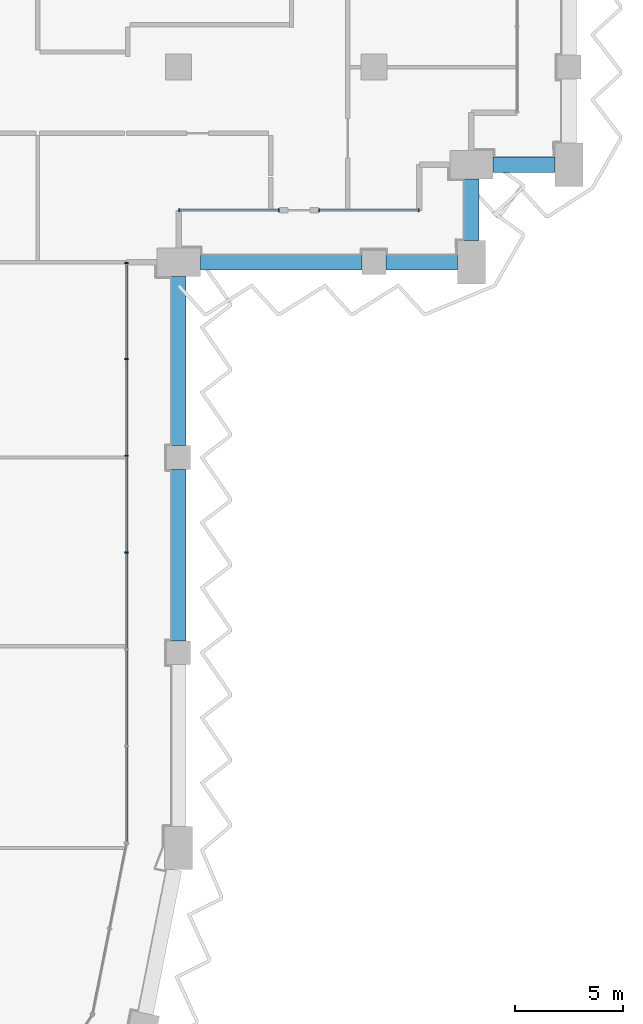
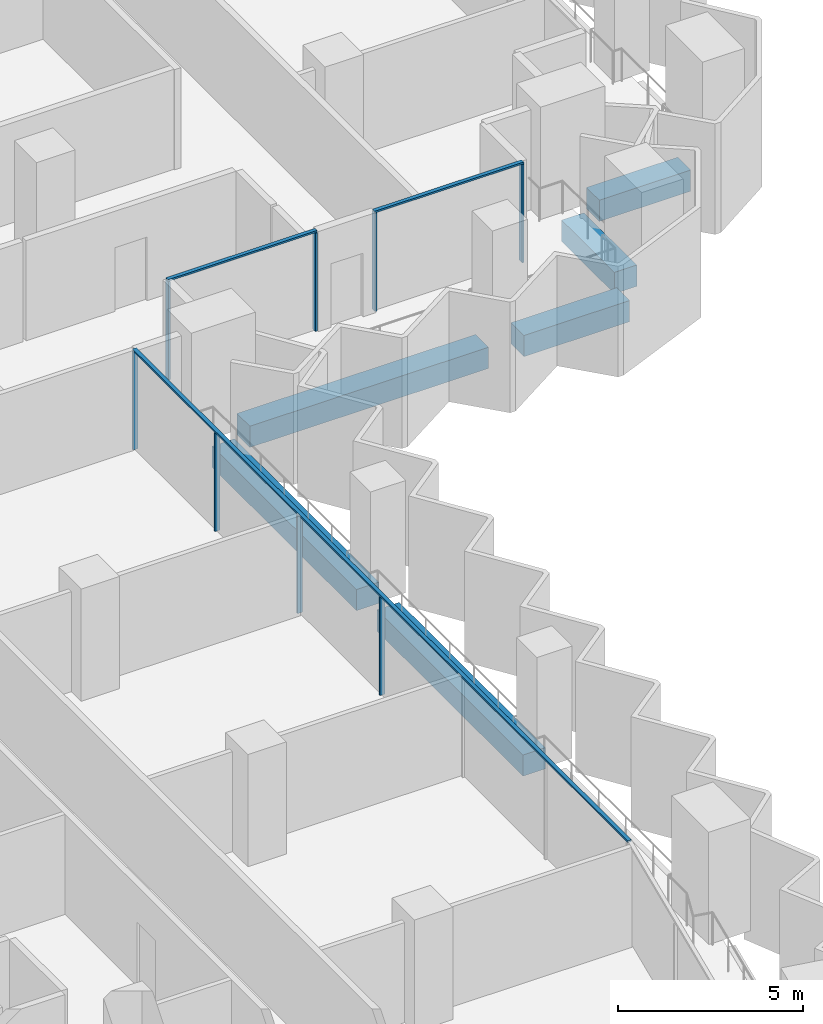
# One storey, part 4 of 23: 11 members, 6 beams, 3 elements without a shape of their own.
"""IFC4 building model written with IfcOpenShell, lengths in metres."""

from ifc_helpers import new_model, si_unit, direction, frame, origin, origin_2d, place, context, subcontext, project, spatial, rectangle, extrude, material, material_profile, profile_set, type_object, element, aggregate, save


model = new_model("IFC4")

# Units and contexts
model_context = context("Model", 3, precision=1e-05, world=origin(), true_north=direction((0.0, 1.0)))
body_context = subcontext(model_context, "Body", "Model", "MODEL_VIEW")
ifc_project = project(units=[si_unit("LENGTHUNIT", "METRE"), si_unit("AREAUNIT", "SQUARE_METRE"), si_unit("VOLUMEUNIT", "CUBIC_METRE"), si_unit("PLANEANGLEUNIT", "RADIAN"), si_unit("MASSUNIT", "GRAM", prefix="KILO")], contexts=[model_context])

# Site, building, storey
site_placement = place(None, origin())
site = spatial("IfcSite", under=ifc_project, at=site_placement, CompositionType="ELEMENT")
building_placement = place(site_placement, origin())
building = spatial("IfcBuilding", under=site, at=building_placement, Name="Hunhe Ridgeline Campus", CompositionType="ELEMENT")
storey_placement = place(building_placement, frame((0.0, 0.0, 144.89990234375)))
storey = spatial("IfcBuildingStorey", under=building, at=storey_placement, Name="L36", CompositionType="ELEMENT", Elevation=144.89990234375)

# Curtain wall, members
ifc_material_1 = material(Name="Aluminium 6063", Category="aluminium")
curtain_wall_type = type_object("IfcCurtainWallType", Name="Curtain wall CW-1", PredefinedType="NOTDEFINED", material=ifc_material_1)
curtain_wall_1_placement = place(storey_placement, origin())
curtain_wall_1 = element("IfcCurtainWall", 1, at=curtain_wall_1_placement, inside=storey, type_object=curtain_wall_type, Name="Curtain wall 11", PredefinedType="NOTDEFINED")
ifc_material_profile_1 = material_profile(ifc_material_1, rectangle(XDim=0.159912109375, YDim=0.06005859375, at=origin_2d()))
ifc_profile_set_1 = profile_set([ifc_material_profile_1], Name="Aluminium 6063")
member_type_1 = type_object("IfcMemberType", Name="CW-1 aluminium mullion", PredefinedType="MULLION", material=ifc_profile_set_1)
member_1_placement = place(storey_placement, frame((42.59912109375, 40.618408203125, 0.0), z_axis=(0.0, 0.0, 1.0), x_axis=(-0.99999999999, 4.408911e-06, 0.0)))
member_1 = element("IfcMember", 2, at=member_1_placement, type_object=member_type_1, Name="CW-1 mullion 4", PredefinedType="MULLION", context=body_context, shape_type="SweptSolid", body=[
    extrude(rectangle(XDim=0.159912109375, YDim=0.06005859375, at=origin_2d()), origin(), (0.0, 0.0, 1.0), 3.239990234375),
])
member_2_placement = place(storey_placement, frame((42.59912109375, 45.0791015625, 0.0), z_axis=(0.0, 0.0, 1.0), x_axis=(-0.99999999999, 4.408911e-06, 0.0)))
member_2 = element("IfcMember", 3, at=member_2_placement, type_object=member_type_1, Name="CW-1 mullion 5", PredefinedType="MULLION", context=body_context, shape_type="SweptSolid", body=[
    extrude(rectangle(XDim=0.159912109375, YDim=0.06005859375, at=origin_2d()), origin(), (0.0, 0.0, 1.0), 3.239990234375),
])
member_3_placement = place(storey_placement, frame((42.59912109375, 49.539794921875, 0.0), z_axis=(0.0, 0.0, 1.0), x_axis=(-0.99999999999, 4.408911e-06, 0.0)))
member_3 = element("IfcMember", 4, at=member_3_placement, type_object=member_type_1, Name="CW-1 mullion 6", PredefinedType="MULLION", context=body_context, shape_type="SweptSolid", body=[
    extrude(rectangle(XDim=0.159912109375, YDim=0.06005859375, at=origin_2d()), origin(), (0.0, 0.0, 1.0), 3.239990234375),
])
member_4_placement = place(storey_placement, frame((42.59912109375, 53.970458984375, 0.0), z_axis=(0.0, 0.0, 1.0), x_axis=(-0.99999999999, 4.408911e-06, 0.0)))
member_4 = element("IfcMember", 5, at=member_4_placement, type_object=member_type_1, Name="CW-1 mullion 7", PredefinedType="MULLION", context=body_context, shape_type="SweptSolid", body=[
    extrude(rectangle(XDim=0.159912109375, YDim=0.06005859375, at=origin_2d()), origin(), (0.0, 0.0, 1.0), 3.239990234375),
])

curtain_wall_2_placement = place(storey_placement, origin())
curtain_wall_2 = element("IfcCurtainWall", 6, at=curtain_wall_2_placement, inside=storey, type_object=curtain_wall_type, Name="Curtain wall 12", PredefinedType="NOTDEFINED")
member_5_placement = place(storey_placement, frame((45.02978515625, 56.40087890625, 0.0), z_axis=(0.0, 0.0, 1.0), x_axis=(-1.72058e-06, 0.999999999999, 0.0)))
member_5 = element("IfcMember", 7, at=member_5_placement, type_object=member_type_1, Name="CW-1 mullion 1", PredefinedType="MULLION", context=body_context, shape_type="SweptSolid", body=[
    extrude(rectangle(XDim=0.159912109375, YDim=0.06005859375, at=origin_2d()), origin(), (0.0, 0.0, 1.0), 3.239990234375),
])
member_6_placement = place(storey_placement, frame((49.619384765625, 56.40087890625, 0.0), z_axis=(0.0, 0.0, 1.0), x_axis=(-1.72058e-06, 0.999999999999, 0.0)))
member_6 = element("IfcMember", 8, at=member_6_placement, type_object=member_type_1, Name="CW-1 mullion 2", PredefinedType="MULLION", context=body_context, shape_type="SweptSolid", body=[
    extrude(rectangle(XDim=0.159912109375, YDim=0.06005859375, at=origin_2d()), origin(), (0.0, 0.0, 1.0), 3.239990234375),
])

curtain_wall_3_placement = place(storey_placement, origin())
curtain_wall_3 = element("IfcCurtainWall", 9, at=curtain_wall_3_placement, inside=storey, type_object=curtain_wall_type, Name="Curtain wall 13", PredefinedType="NOTDEFINED")
member_7_placement = place(storey_placement, frame((51.4794921875, 56.40087890625, 0.0), z_axis=(0.0, 0.0, 1.0), x_axis=(-1.72058e-06, 0.999999999999, 0.0)))
member_7 = element("IfcMember", 10, at=member_7_placement, type_object=member_type_1, Name="CW-1 mullion 1", PredefinedType="MULLION", context=body_context, shape_type="SweptSolid", body=[
    extrude(rectangle(XDim=0.159912109375, YDim=0.06005859375, at=origin_2d()), origin(), (0.0, 0.0, 1.0), 3.239990234375),
])
member_8_placement = place(storey_placement, frame((56.069091796875, 56.40087890625, 0.0), z_axis=(0.0, 0.0, 1.0), x_axis=(-1.72058e-06, 0.999999999999, 0.0)))
member_8 = element("IfcMember", 11, at=member_8_placement, type_object=member_type_1, Name="CW-1 mullion 2", PredefinedType="MULLION", context=body_context, shape_type="SweptSolid", body=[
    extrude(rectangle(XDim=0.159912109375, YDim=0.06005859375, at=origin_2d()), origin(), (0.0, 0.0, 1.0), 3.239990234375),
])

# Member
ifc_material_profile_2 = material_profile(ifc_material_1, rectangle(XDim=0.1201171875, YDim=0.06005859375, at=origin_2d()))
ifc_profile_set_2 = profile_set([ifc_material_profile_2], Name="Aluminium 6063")
member_type_2 = type_object("IfcMemberType", Name="CW-1 aluminium transom", PredefinedType="USERDEFINED", material=ifc_profile_set_2)
member_9_placement = place(storey_placement, frame((42.59912109375, 27.236572265625, 3.27001953125), z_axis=(0.0, 1.0, 0.0), x_axis=(-1.0, 0.0, 0.0)))
member_9 = element("IfcMember", 12, at=member_9_placement, type_object=member_type_2, Name="CW-1 transom 1", ObjectType="TRANSOM", PredefinedType="USERDEFINED", context=body_context, shape_type="SweptSolid", body=[
    extrude(rectangle(XDim=0.1201171875, YDim=0.06005859375, at=origin_2d()), origin(), (0.0, 0.0, 1.0), 26.763916015625),
])

aggregate(curtain_wall_1, [member_9, member_1, member_2, member_3, member_4])

member_10_placement = place(storey_placement, frame((44.999755859375, 56.40087890625, 3.27001953125), z_axis=(1.0, 0.0, 0.0), x_axis=(0.0, 1.0, 0.0)))
member_10 = element("IfcMember", 13, at=member_10_placement, type_object=member_type_2, Name="CW-1 transom 1", ObjectType="TRANSOM", PredefinedType="USERDEFINED", context=body_context, shape_type="SweptSolid", body=[
    extrude(rectangle(XDim=0.1201171875, YDim=0.06005859375, at=origin_2d()), origin(), (0.0, 0.0, 1.0), 4.649658203125),
])

aggregate(curtain_wall_2, [member_10, member_5, member_6])

member_11_placement = place(storey_placement, frame((51.449462890625, 56.40087890625, 3.27001953125), z_axis=(1.0, 0.0, 0.0), x_axis=(0.0, 1.0, 0.0)))
member_11 = element("IfcMember", 14, at=member_11_placement, type_object=member_type_2, Name="CW-1 transom 1", ObjectType="TRANSOM", PredefinedType="USERDEFINED", context=body_context, shape_type="SweptSolid", body=[
    extrude(rectangle(XDim=0.1201171875, YDim=0.06005859375, at=origin_2d()), origin(), (0.0, 0.0, 1.0), 4.649658203125),
])

aggregate(curtain_wall_3, [member_11, member_7, member_8])

# Beams
ifc_material_2 = material(Name="Concrete C60", Category="concrete")
ifc_material_profile_3 = material_profile(ifc_material_2, rectangle(XDim=0.699951171875, YDim=0.699951171875, at=origin_2d()))
ifc_profile_set_3 = profile_set([ifc_material_profile_3], Name="Concrete C60")
beam_type = type_object("IfcBeamType", Name="RC spandrel beam 700x700 Concrete C60", PredefinedType="SPANDREL", material=ifc_profile_set_3)
beam_1_placement = place(storey_placement, frame((45.0, 36.550048828125, -0.599853515625), z_axis=(0.0, 1.0, 0.0), x_axis=(-1.0, 0.0, 0.0)))
element("IfcBeam", 15, at=beam_1_placement, inside=storey, type_object=beam_type, Name="Spandrel beam B2-10 L36", PredefinedType="SPANDREL", context=body_context, shape_type="SweptSolid", body=[
    extrude(rectangle(XDim=0.699951171875, YDim=0.699951171875, at=origin_2d()), origin(), (0.0, 0.0, 1.0), 7.89990234375),
])
beam_2_placement = place(storey_placement, frame((45.0, 45.550048828125, -0.599853515625), z_axis=(0.0, 1.0, 0.0), x_axis=(-1.0, 0.0, 0.0)))
element("IfcBeam", 16, at=beam_2_placement, inside=storey, type_object=beam_type, Name="Spandrel beam B2-11 L36", PredefinedType="SPANDREL", context=body_context, shape_type="SweptSolid", body=[
    extrude(rectangle(XDim=0.699951171875, YDim=0.699951171875, at=origin_2d()), origin(), (0.0, 0.0, 1.0), 7.800048828125),
])
beam_3_placement = place(storey_placement, frame((46.0, 54.0, -0.599853515625), z_axis=(1.0, 0.0, 0.0), x_axis=(0.0, 1.0, 0.0)))
element("IfcBeam", 17, at=beam_3_placement, inside=storey, type_object=beam_type, Name="Spandrel beam B2-12 L36", PredefinedType="SPANDREL", context=body_context, shape_type="SweptSolid", body=[
    extrude(rectangle(XDim=0.699951171875, YDim=0.699951171875, at=origin_2d()), origin(), (0.0, 0.0, 1.0), 7.449951171875),
])
beam_4_placement = place(storey_placement, frame((54.550048828125, 54.0, -0.599853515625), z_axis=(1.0, 0.0, 0.0), x_axis=(0.0, 1.0, 0.0)))
element("IfcBeam", 18, at=beam_4_placement, inside=storey, type_object=beam_type, Name="Spandrel beam B2-13 L36", PredefinedType="SPANDREL", context=body_context, shape_type="SweptSolid", body=[
    extrude(rectangle(XDim=0.699951171875, YDim=0.699951171875, at=origin_2d()), origin(), (0.0, 0.0, 1.0), 3.300048828125),
])
for number, where, z_axis, x_axis, name in (
    (19, (58.5, 55.0, -0.599853515625), (0.0, 1.0, 0.0), (-1.0, 0.0, 0.0), "Spandrel beam B2-14 L36"),
    (20, (59.5, 58.5, -0.599853515625), (1.0, 0.0, 0.0), (0.0, 1.0, 0.0), "Spandrel beam B2-15 L36"),
):
    element("IfcBeam", number, at=place(storey_placement, frame(where, z_axis=z_axis, x_axis=x_axis)), inside=storey, type_object=beam_type, Name=name, PredefinedType="SPANDREL", context=body_context, shape_type="SweptSolid", body=[
        extrude(rectangle(XDim=0.699951171875, YDim=0.699951171875, at=origin_2d()), origin(), (0.0, 0.0, 1.0), 2.85009765625),
    ])

save(model, "model.ifc")
